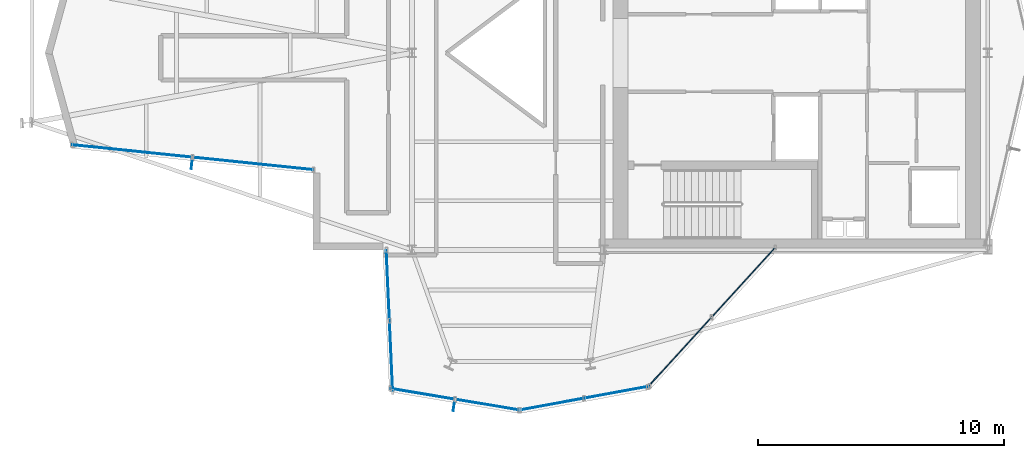
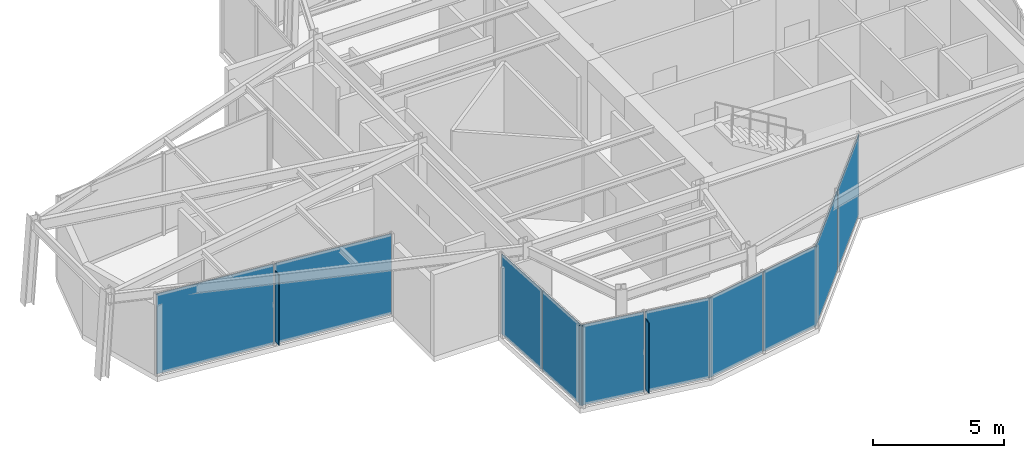
# One storey, part 8 of 13: 12 plates, 5 elements without a shape of their own.
"""IFC4 building model written with IfcOpenShell, lengths in metres."""

from ifc_helpers import new_model, si_unit, direction, frame, origin, origin_2d, place, context, subcontext, project, spatial, rectangle, extrude, material, layer, layer_set, type_object, element, aggregate, save


model = new_model("IFC4")

# Units and contexts
model_context = context("Model", 3, precision=1e-05, world=origin(), true_north=direction((0.0, 1.0)))
body_context = subcontext(model_context, "Body", "Model", "MODEL_VIEW")
ifc_project = project(units=[si_unit("LENGTHUNIT", "METRE"), si_unit("AREAUNIT", "SQUARE_METRE"), si_unit("VOLUMEUNIT", "CUBIC_METRE"), si_unit("PLANEANGLEUNIT", "RADIAN"), si_unit("MASSUNIT", "GRAM", prefix="KILO")], contexts=[model_context])

# Site, building, storey
site_placement = place(None, origin())
site = spatial("IfcSite", under=ifc_project, at=site_placement, CompositionType="ELEMENT")
building_placement = place(site_placement, origin())
building = spatial("IfcBuilding", under=site, at=building_placement, Name="Veymaron Broadcast Tower", CompositionType="ELEMENT")
storey_placement = place(building_placement, frame((0.0, 0.0, 287.10009765625)))
storey = spatial("IfcBuildingStorey", under=building, at=storey_placement, Name="L67", CompositionType="ELEMENT", Elevation=287.10009765625)

# Curtain wall, plates
ifc_material_1 = material(Name="Anodised aluminium AA 6063-T6 and laminated low-E dark glass", Category="aluminium")
ifc_layer_1 = layer(ifc_material_1, 0.179931640625)
ifc_layer_set_1 = layer_set([ifc_layer_1], Name="Anodised aluminium AA 6063-T6 and laminated low-E dark glass")
curtain_wall_type = type_object("IfcCurtainWallType", Name="CW-SYS-06", PredefinedType="NOTDEFINED", material=ifc_layer_set_1)
curtain_wall_1_placement = place(storey_placement, origin())
curtain_wall_1 = element("IfcCurtainWall", 1, at=curtain_wall_1_placement, inside=storey, type_object=curtain_wall_type, Name="L67 dark-glass curtain wall CW-L67-E14-1", PredefinedType="NOTDEFINED")
ifc_material_2 = material(Name="Insulated dark-anodised aluminium spandrel panel 40 mm", Category="aluminium")
ifc_layer_2 = layer(ifc_material_2, 0.0400390625)
ifc_layer_set_2 = layer_set([ifc_layer_2], Name="Insulated dark-anodised aluminium spandrel panel 40 mm")
plate_type_1 = type_object("IfcPlateType", Name="CW-PNL-03", PredefinedType="CURTAIN_PANEL", material=ifc_layer_set_2)
plate_1_placement = place(storey_placement, frame((19.830810546875, 20.014892578125, 0.039794921875), z_axis=(0.0, 0.0, 1.0), x_axis=(0.994701022897, -0.102809897611, 0.0)))
plate_1 = element("IfcPlate", 2, at=plate_1_placement, type_object=plate_type_1, Name="CW-L67-E14-1 unitised curtain panel 0", PredefinedType="CURTAIN_PANEL", context=body_context, shape_type="SweptSolid", body=[
    extrude(rectangle(XDim=4.87890625, YDim=0.0400390625, at=origin_2d()), origin(), (0.0, 0.0, 1.0), 3.72998046875),
])
plate_2_placement = place(storey_placement, frame((24.74365234375, 19.507080078125, 0.039794921875), z_axis=(0.0, 0.0, 1.0), x_axis=(0.994701022897, -0.102809897611, 0.0)))
plate_2 = element("IfcPlate", 3, at=plate_2_placement, type_object=plate_type_1, Name="CW-L67-E14-1 unitised curtain panel 1", PredefinedType="CURTAIN_PANEL", context=body_context, shape_type="SweptSolid", body=[
    extrude(rectangle(XDim=4.87890625, YDim=0.0400390625, at=origin_2d()), origin(), (0.0, 0.0, 1.0), 3.72998046875),
])
aggregate(curtain_wall_1, [plate_1, plate_2])

curtain_wall_2_placement = place(storey_placement, origin())
curtain_wall_2 = element("IfcCurtainWall", 4, at=curtain_wall_2_placement, inside=storey, type_object=curtain_wall_type, Name="L67 dark-glass curtain wall CW-L67-E17-1", PredefinedType="NOTDEFINED")
plate_3_placement = place(storey_placement, frame((30.2275390625, 14.564208984375, 0.039794921875), z_axis=(0.0, 0.0, 1.0), x_axis=(0.045502470291, -0.998964226185, 0.0)))
plate_3 = element("IfcPlate", 5, at=plate_3_placement, type_object=plate_type_1, Name="CW-L67-E17-1 unitised curtain panel 0", PredefinedType="CURTAIN_PANEL", context=body_context, shape_type="SweptSolid", body=[
    extrude(rectangle(XDim=2.82763671875, YDim=0.0400390625, at=origin_2d()), origin(), (0.0, 0.0, 1.0), 3.72998046875),
])
plate_4_placement = place(storey_placement, frame((30.35888671875, 11.679443359375, 0.039794921875), z_axis=(0.0, 0.0, 1.0), x_axis=(0.045502470291, -0.998964226185, 0.0)))
plate_4 = element("IfcPlate", 6, at=plate_4_placement, type_object=plate_type_1, Name="CW-L67-E17-1 unitised curtain panel 1", PredefinedType="CURTAIN_PANEL", context=body_context, shape_type="SweptSolid", body=[
    extrude(rectangle(XDim=2.82763671875, YDim=0.0400390625, at=origin_2d()), origin(), (0.0, 0.0, 1.0), 3.72998046875),
])
aggregate(curtain_wall_2, [plate_3, plate_4])

curtain_wall_3_placement = place(storey_placement, origin())
curtain_wall_3 = element("IfcCurtainWall", 7, at=curtain_wall_3_placement, inside=storey, type_object=curtain_wall_type, Name="L67 dark-glass curtain wall CW-L67-E18-1", PredefinedType="NOTDEFINED")
plate_5_placement = place(storey_placement, frame((31.6318359375, 10.14794921875, 0.039794921875), z_axis=(0.0, 0.0, 1.0), x_axis=(0.986354649988, -0.164634457046, 0.0)))
plate_5 = element("IfcPlate", 8, at=plate_5_placement, type_object=plate_type_1, Name="CW-L67-E18-1 unitised curtain panel 0", PredefinedType="CURTAIN_PANEL", context=body_context, shape_type="SweptSolid", body=[
    extrude(rectangle(XDim=2.624755859375, YDim=0.0400390625, at=origin_2d()), origin(), (0.0, 0.0, 1.0), 3.72998046875),
])
plate_6_placement = place(storey_placement, frame((34.280029296875, 9.705810546875, 0.039794921875), z_axis=(0.0, 0.0, 1.0), x_axis=(0.986354649988, -0.164634457046, 0.0)))
plate_6 = element("IfcPlate", 9, at=plate_6_placement, type_object=plate_type_1, Name="CW-L67-E18-1 unitised curtain panel 1", PredefinedType="CURTAIN_PANEL", context=body_context, shape_type="SweptSolid", body=[
    extrude(rectangle(XDim=2.624755859375, YDim=0.0400390625, at=origin_2d()), origin(), (0.0, 0.0, 1.0), 3.72998046875),
])
aggregate(curtain_wall_3, [plate_5, plate_6])

curtain_wall_4_placement = place(storey_placement, origin())
curtain_wall_4 = element("IfcCurtainWall", 10, at=curtain_wall_4_placement, inside=storey, type_object=curtain_wall_type, Name="L67 dark-glass curtain wall CW-L67-E19-1", PredefinedType="NOTDEFINED")
plate_7_placement = place(storey_placement, frame((36.8798828125, 9.7275390625, 0.039794921875), z_axis=(0.0, 0.0, 1.0), x_axis=(0.983562017505, 0.180570644685, 0.0)))
plate_7 = element("IfcPlate", 11, at=plate_7_placement, type_object=plate_type_1, Name="CW-L67-E19-1 unitised curtain panel 0", PredefinedType="CURTAIN_PANEL", context=body_context, shape_type="SweptSolid", body=[
    extrude(rectangle(XDim=2.632568359375, YDim=0.0400390625, at=origin_2d()), origin(), (0.0, 0.0, 1.0), 3.72998046875),
])
plate_8_placement = place(storey_placement, frame((39.5283203125, 10.2138671875, 0.039794921875), z_axis=(0.0, 0.0, 1.0), x_axis=(0.983562017505, 0.180570644685, 0.0)))
plate_8 = element("IfcPlate", 12, at=plate_8_placement, type_object=plate_type_1, Name="CW-L67-E19-1 unitised curtain panel 1", PredefinedType="CURTAIN_PANEL", context=body_context, shape_type="SweptSolid", body=[
    extrude(rectangle(XDim=2.632568359375, YDim=0.0400390625, at=origin_2d()), origin(), (0.0, 0.0, 1.0), 3.72998046875),
])
aggregate(curtain_wall_4, [plate_7, plate_8])

curtain_wall_5_placement = place(storey_placement, origin())
curtain_wall_5 = element("IfcCurtainWall", 13, at=curtain_wall_5_placement, inside=storey, type_object=curtain_wall_type, Name="L67 dark-glass curtain wall CW-L67-E20-1", PredefinedType="NOTDEFINED")
plate_9_placement = place(storey_placement, frame((42.072021484375, 11.833740234375, 0.039794921875), z_axis=(0.0, 0.0, 1.0), x_axis=(0.674585884365, 0.738196372665, 0.0)))
plate_9 = element("IfcPlate", 14, at=plate_9_placement, type_object=plate_type_1, Name="CW-L67-E20-1 unitised curtain panel 0", PredefinedType="CURTAIN_PANEL", context=body_context, shape_type="SweptSolid", body=[
    extrude(rectangle(XDim=3.787841796875, YDim=0.0400390625, at=origin_2d()), origin(), (0.0, 0.0, 1.0), 3.72998046875),
])
plate_10_placement = place(storey_placement, frame((44.667724609375, 14.67431640625, 0.039794921875), z_axis=(0.0, 0.0, 1.0), x_axis=(0.674585884365, 0.738196372665, 0.0)))
plate_10 = element("IfcPlate", 15, at=plate_10_placement, type_object=plate_type_1, Name="CW-L67-E20-1 unitised curtain panel 1", PredefinedType="CURTAIN_PANEL", context=body_context, shape_type="SweptSolid", body=[
    extrude(rectangle(XDim=3.787841796875, YDim=0.0400390625, at=origin_2d()), origin(), (0.0, 0.0, 1.0), 3.72998046875),
])
aggregate(curtain_wall_5, [plate_9, plate_10])

# Plates
ifc_material_3 = material(Name="Dark-anodised aluminium AA 6061-T6", Category="aluminium")
ifc_layer_3 = layer(ifc_material_3, 0.030029296875)
ifc_layer_set_3 = layer_set([ifc_layer_3], Name="Dark-anodised aluminium AA 6061-T6")
plate_type_2 = type_object("IfcPlateType", Name="FIN-CHEV-02", PredefinedType="USERDEFINED", material=ifc_layer_set_3)
for number, where, z_axis, x_axis, name in (
    (16, (22.255859375, 19.45751953125, 0.2666015625), (0.0, 0.0, 1.0), (-0.102809897611, -0.994701022897, 0.0), "CW-L67-E14-1 chevron fin 1"),
    (17, (32.90576171875, 9.626220703125, 0.2666015625), (0.0, 0.0, 1.0), (-0.164634457046, -0.986354649988, 0.0), "CW-L67-E18-1 chevron fin 1"),
):
    element("IfcPlate", number, at=place(storey_placement, frame(where, z_axis=z_axis, x_axis=x_axis)), inside=storey, type_object=plate_type_2, Name=name, ObjectType="FIN", PredefinedType="USERDEFINED", context=body_context, shape_type="SweptSolid", body=[
        extrude(rectangle(XDim=0.35009765625, YDim=0.034912109375, at=origin_2d()), origin(), (0.0, 0.0, 1.0), 3.276611328125),
    ])

save(model, "model.ifc")
